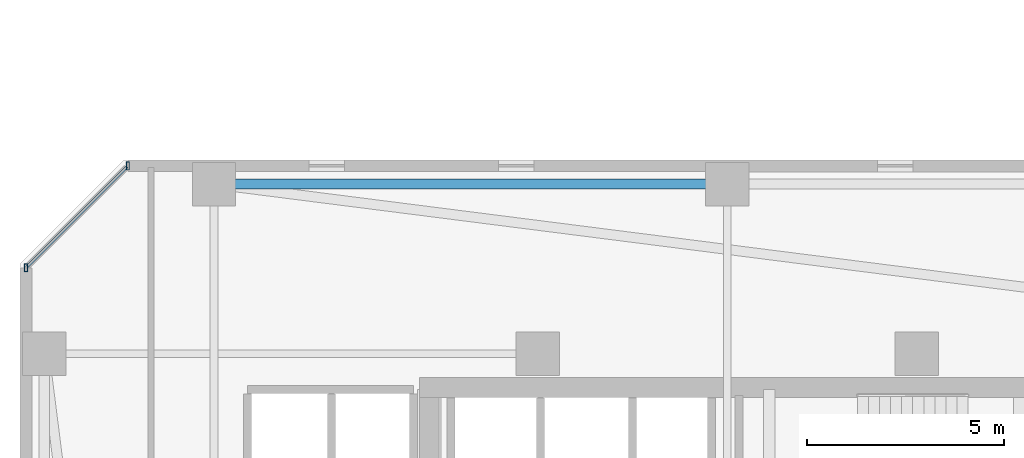
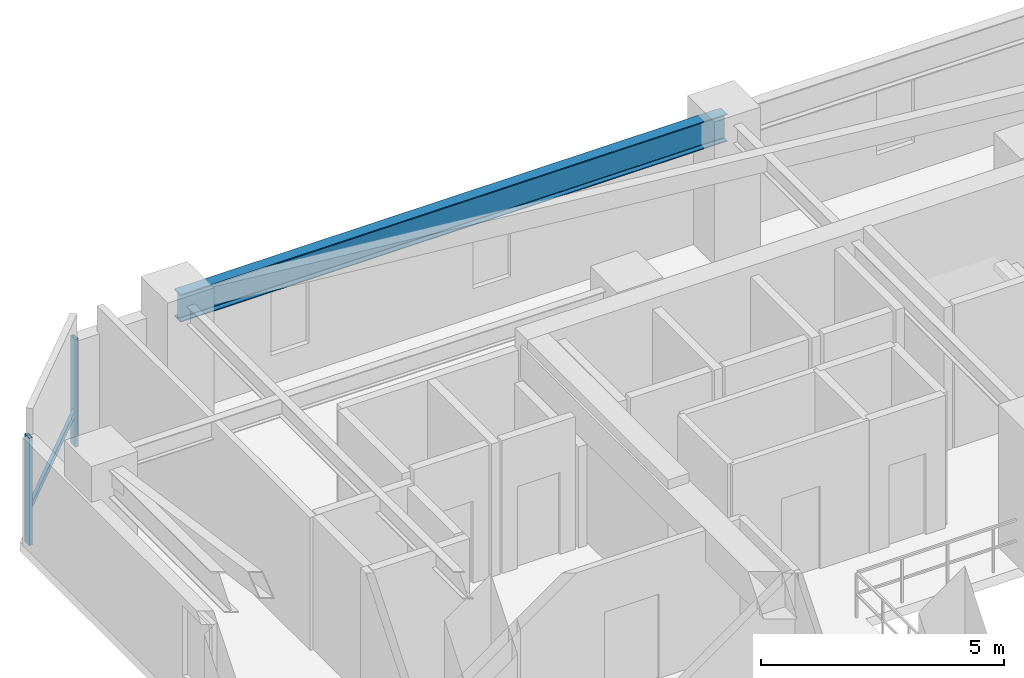
# One storey, part 8 of 33: 3 members, 1 beam, 1 element without a shape of its own.
"""IFC4 building model written with IfcOpenShell, lengths in metres."""

from ifc_helpers import new_model, si_unit, direction, frame, origin, origin_2d, place, context, subcontext, project, spatial, hollow_rectangle, i_section, extrude, material, material_profile, profile_set, type_object, element, aggregate, save


model = new_model("IFC4")

# Units and contexts
model_context = context("Model", 3, precision=1e-05, world=origin(), true_north=direction((0.0, 1.0)))
body_context = subcontext(model_context, "Body", "Model", "MODEL_VIEW")
ifc_project = project(units=[si_unit("LENGTHUNIT", "METRE"), si_unit("AREAUNIT", "SQUARE_METRE"), si_unit("VOLUMEUNIT", "CUBIC_METRE"), si_unit("PLANEANGLEUNIT", "RADIAN"), si_unit("MASSUNIT", "GRAM", prefix="KILO")], contexts=[model_context])

# Site, building, storey
site_placement = place(None, origin())
site = spatial("IfcSite", under=ifc_project, at=site_placement, CompositionType="ELEMENT")
building_placement = place(site_placement, origin())
building = spatial("IfcBuilding", under=site, at=building_placement, Name="Thornwick Lancets Civic Towers", CompositionType="ELEMENT")
storey_placement = place(building_placement, frame((0.0, 0.0, 167.10009765625)))
storey = spatial("IfcBuildingStorey", under=building, at=storey_placement, Name="L44", CompositionType="ELEMENT", Elevation=167.10009765625)

# Beam
ifc_material_1 = material(Name="Steel S355JR", Category="steel")
ifc_material_profile_1 = material_profile(ifc_material_1, i_section(OverallWidth=0.255859375, OverallDepth=0.69287109375, WebThickness=0.014404296875, FlangeThickness=0.023681640625, FilletRadius=0.01513671875, at=origin_2d()), Name="UKB 686x254x170")
ifc_profile_set_1 = profile_set([ifc_material_profile_1], Name="Steel S355JR")
beam_type = type_object("IfcBeamType", Name="BM_GIRD_686_170", PredefinedType="BEAM", material=ifc_profile_set_1)
beam_placement = place(storey_placement, frame((12.5, 44.300048828125, 3.013427734375), z_axis=(1.0, 0.0, 0.0), x_axis=(0.0, 1.0, 0.0)))
element("IfcBeam", 1, at=beam_placement, inside=storey, type_object=beam_type, Name="BM-SPINE-L44-A-6-7", PredefinedType="BEAM", context=body_context, shape_type="SweptSolid", body=[
    extrude(i_section(OverallWidth=0.255859375, OverallDepth=0.69287109375, WebThickness=0.014404296875, FlangeThickness=0.023681640625, FilletRadius=0.01513671875, at=origin_2d()), origin(), (0.0, 0.0, 1.0), 13.0),
])

# Curtain wall, members
ifc_material_2 = material(Name="Mid-zone chamfered-corner unitised glass curtain wall", Category="glass")
curtain_wall_type = type_object("IfcCurtainWallType", Name="CW_SYS_04", PredefinedType="NOTDEFINED", material=ifc_material_2)
curtain_wall_placement = place(storey_placement, origin())
curtain_wall = element("IfcCurtainWall", 2, at=curtain_wall_placement, inside=storey, type_object=curtain_wall_type, Name="L44 Curtain Wall CW-L44-A-E5", PredefinedType="NOTDEFINED")
ifc_material_3 = material(Name="Thermally broken bronze aluminium S355", Category="steel")
ifc_material_profile_2 = material_profile(ifc_material_3, hollow_rectangle(XDim=0.080078125, YDim=0.199951171875, WallThickness=0.006103515625, at=origin_2d()), Name="RHS 200x80x6")
ifc_profile_set_2 = profile_set([ifc_material_profile_2], Name="Thermally broken bronze aluminium S355")
member_type_1 = type_object("IfcMemberType", Name="CW_MUL_200", PredefinedType="MULLION", material=ifc_profile_set_2)
member_1_placement = place(storey_placement, frame((10.318603515625, 44.7646484375, 0.0), z_axis=(0.0, 0.0, 1.0), x_axis=(1.0, 0.0, 0.0)))
member_1 = element("IfcMember", 3, at=member_1_placement, type_object=member_type_1, Name="CW-L44-A-E5 Mullion 0", PredefinedType="MULLION", context=body_context, shape_type="SweptSolid", body=[
    extrude(hollow_rectangle(XDim=0.080078125, YDim=0.199951171875, WallThickness=0.006103515625, at=origin_2d()), origin(), (0.0, 0.0, 1.0), 2.699951171875),
])
member_2_placement = place(storey_placement, frame((7.7353515625, 42.181396484375, 0.0), z_axis=(0.0, 0.0, 1.0), x_axis=(1.0, 0.0, 0.0)))
member_2 = element("IfcMember", 4, at=member_2_placement, type_object=member_type_1, Name="CW-L44-A-E5 Mullion 1", PredefinedType="MULLION", context=body_context, shape_type="SweptSolid", body=[
    extrude(hollow_rectangle(XDim=0.080078125, YDim=0.199951171875, WallThickness=0.006103515625, at=origin_2d()), origin(), (0.0, 0.0, 1.0), 2.699951171875),
])
ifc_material_profile_3 = material_profile(ifc_material_3, hollow_rectangle(XDim=0.074951171875, YDim=0.14990234375, WallThickness=0.0048828125, at=origin_2d()), Name="RHS 150x75x5")
ifc_profile_set_3 = profile_set([ifc_material_profile_3], Name="Thermally broken bronze aluminium S355")
member_type_2 = type_object("IfcMemberType", Name="CW_TRN_150", PredefinedType="USERDEFINED", material=ifc_profile_set_3)
member_3_placement = place(storey_placement, frame((10.304443359375, 44.75048828125, 0.849853515625), z_axis=(-0.707106781187, -0.707106781187, 0.0), x_axis=(0.707106781187, -0.707106781187, 0.0)))
member_3 = element("IfcMember", 5, at=member_3_placement, type_object=member_type_2, Name="CW-L44-A-E5 Transom 0", ObjectType="TRANSOM", PredefinedType="USERDEFINED", context=body_context, shape_type="SweptSolid", body=[
    extrude(hollow_rectangle(XDim=0.074951171875, YDim=0.14990234375, WallThickness=0.0048828125, at=origin_2d()), origin(), (0.0, 0.0, 1.0), 3.61328125),
])
aggregate(curtain_wall, [member_1, member_2, member_3])

save(model, "model.ifc")
